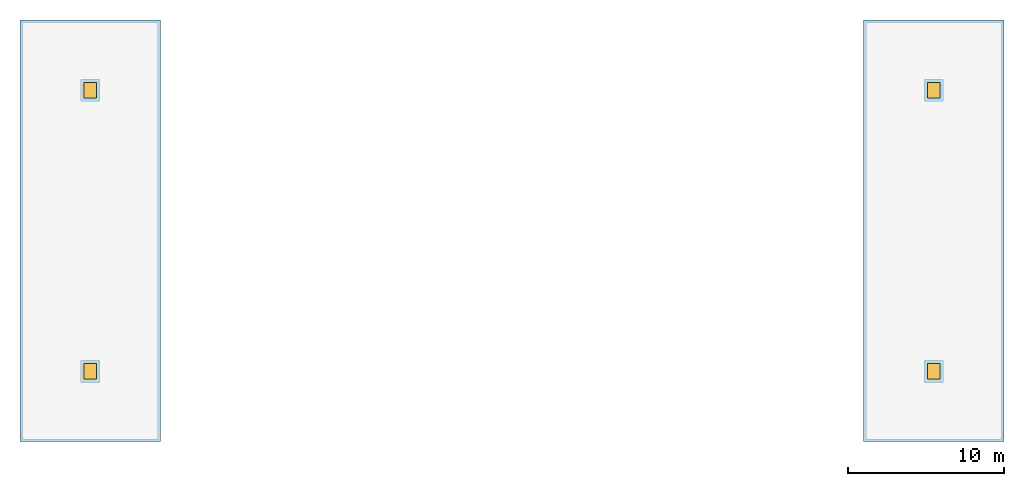
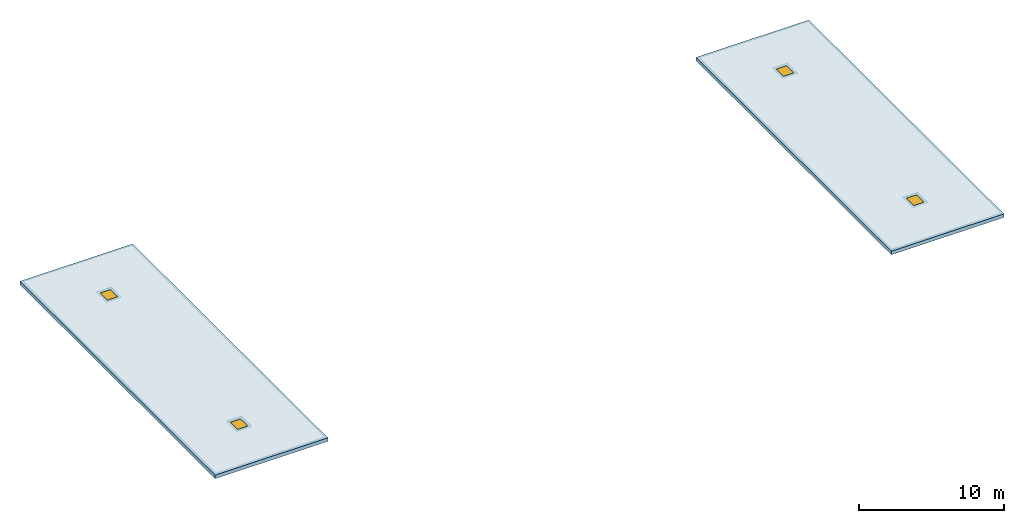
"""IFC4 building model written with IfcOpenShell, lengths in metres."""

from ifc_helpers import new_model, si_unit, direction, frame, origin, origin_2d, place, context, subcontext, project, spatial, polyline, rectangle, outline, extrude, material, layer, layer_set, type_object, element, fill, save


model = new_model("IFC4")

# Units and contexts
model_context = context("Model", 3, precision=1e-05, world=origin(), true_north=direction((0.0, 1.0)))
body_context = subcontext(model_context, "Body", "Model", "MODEL_VIEW")
ifc_project = project(units=[si_unit("LENGTHUNIT", "METRE"), si_unit("AREAUNIT", "SQUARE_METRE"), si_unit("VOLUMEUNIT", "CUBIC_METRE"), si_unit("PLANEANGLEUNIT", "RADIAN"), si_unit("MASSUNIT", "GRAM", prefix="KILO")], contexts=[model_context])

# Site, building, storey
site_placement = place(None, origin())
site = spatial("IfcSite", under=ifc_project, at=site_placement, CompositionType="ELEMENT")
building_placement = place(site_placement, origin())
building = spatial("IfcBuilding", under=site, at=building_placement, Name="Azimuth Sports and Learning Centre", CompositionType="ELEMENT")
storey_1_placement = place(building_placement, frame((0.0, 0.0, 82.5)))
storey_1 = spatial("IfcBuildingStorey", under=building, at=storey_1_placement, Name="UPPER ROOF", CompositionType="ELEMENT", Elevation=82.5)

# Slab, openings
ifc_material_1 = material(Name="Concrete C30/37", Category="concrete")
ifc_layer = layer(ifc_material_1, 0.300048828125)
ifc_layer_set = layer_set([ifc_layer], Name="Concrete C30/37")
slab_type = type_object("IfcSlabType", Name="Core crown slab 300", PredefinedType="ROOF", material=ifc_layer_set)
slab_1_placement = place(storey_1_placement, origin())
slab_1 = element("IfcSlab", 1, at=slab_1_placement, inside=storey_1, type_object=slab_type, Name="Slab West core crown", PredefinedType="ROOF", context=body_context, shape_type="SweptSolid", body=[
    extrude(outline(polyline([(54.0, 90.0), (63.0, 90.0), (63.0, 117.0), (54.0, 117.0), (54.0, 90.0)])), origin(), (0.0, 0.0, 1.0), 0.300048828125),
])
opening_1_placement = place(slab_1_placement, frame((58.5, 94.5, 0.0)))
opening_1 = element("IfcOpeningElement", 2, at=opening_1_placement, cuts=slab_1, Name="Opening RL17-004", PredefinedType="OPENING", context=body_context, shape_type="SweptSolid", body=[
    extrude(rectangle(XDim=0.800048828125, YDim=1.0, at=origin_2d()), frame((0.0, 0.0, -0.010986328125)), (0.0, 0.0, 1.0), 0.322021484375),
])
opening_2_placement = place(slab_1_placement, frame((58.5, 112.5, 0.0)))
opening_2 = element("IfcOpeningElement", 3, at=opening_2_placement, cuts=slab_1, Name="Opening RL17-005", PredefinedType="OPENING", context=body_context, shape_type="SweptSolid", body=[
    extrude(rectangle(XDim=0.800048828125, YDim=1.0, at=origin_2d()), frame((0.0, 0.0, -0.010986328125)), (0.0, 0.0, 1.0), 0.322021484375),
])

# Storey
storey_2_placement = place(building_placement, frame((0.0, 0.0, 75.300048828125)))
storey_2 = spatial("IfcBuildingStorey", under=building, at=storey_2_placement, Name="L17", CompositionType="ELEMENT", Elevation=75.300048828125)

# Window
ifc_material_2 = material(Name="Steel", Category="steel")
window_type = type_object("IfcWindowType", Name="Head house hatch 800x1000", PartitioningType="SINGLE_PANEL", PredefinedType="SKYLIGHT", material=ifc_material_2)
window_1_placement = place(opening_1_placement, frame((0.0, 0.0, 0.25)))
window_1 = element("IfcWindow", 4, at=window_1_placement, inside=storey_2, type_object=window_type, Name="Head house hatch RL17-004", OverallHeight=1.0, OverallWidth=0.800048828125, PartitioningType="SINGLE_PANEL", PredefinedType="SKYLIGHT", context=body_context, shape_type="SweptSolid", body=[
    extrude(rectangle(XDim=0.800048828125, YDim=1.0, at=origin_2d()), origin(), (0.0, 0.0, 1.0), 0.050048828125),
])

fill(opening_1, window_1)

window_2_placement = place(opening_2_placement, frame((0.0, 0.0, 0.25)))
window_2 = element("IfcWindow", 5, at=window_2_placement, inside=storey_2, type_object=window_type, Name="Head house hatch RL17-005", OverallHeight=1.0, OverallWidth=0.800048828125, PartitioningType="SINGLE_PANEL", PredefinedType="SKYLIGHT", context=body_context, shape_type="SweptSolid", body=[
    extrude(rectangle(XDim=0.800048828125, YDim=1.0, at=origin_2d()), origin(), (0.0, 0.0, 1.0), 0.050048828125),
])

fill(opening_2, window_2)

# Slab, openings, windows
slab_2_placement = place(storey_1_placement, origin())
slab_2 = element("IfcSlab", 6, at=slab_2_placement, inside=storey_1, type_object=slab_type, Name="Slab East core crown", PredefinedType="ROOF", context=body_context, shape_type="SweptSolid", body=[
    extrude(outline(polyline([(108.0, 90.0), (117.0, 90.0), (117.0, 117.0), (108.0, 117.0), (108.0, 90.0)])), origin(), (0.0, 0.0, 1.0), 0.300048828125),
])
opening_3_placement = place(slab_2_placement, frame((112.5, 94.5, 0.0)))
opening_3 = element("IfcOpeningElement", 7, at=opening_3_placement, cuts=slab_2, Name="Opening RL17-006", PredefinedType="OPENING", context=body_context, shape_type="SweptSolid", body=[
    extrude(rectangle(XDim=0.800048828125, YDim=1.0, at=origin_2d()), frame((0.0, 0.0, -0.010986328125)), (0.0, 0.0, 1.0), 0.322021484375),
])
opening_4_placement = place(slab_2_placement, frame((112.5, 112.5, 0.0)))
opening_4 = element("IfcOpeningElement", 8, at=opening_4_placement, cuts=slab_2, Name="Opening RL17-007", PredefinedType="OPENING", context=body_context, shape_type="SweptSolid", body=[
    extrude(rectangle(XDim=0.800048828125, YDim=1.0, at=origin_2d()), frame((0.0, 0.0, -0.010986328125)), (0.0, 0.0, 1.0), 0.322021484375),
])
window_3_placement = place(opening_3_placement, frame((0.0, 0.0, 0.25)))
window_3 = element("IfcWindow", 9, at=window_3_placement, inside=storey_2, type_object=window_type, Name="Head house hatch RL17-006", OverallHeight=1.0, OverallWidth=0.800048828125, PartitioningType="SINGLE_PANEL", PredefinedType="SKYLIGHT", context=body_context, shape_type="SweptSolid", body=[
    extrude(rectangle(XDim=0.800048828125, YDim=1.0, at=origin_2d()), origin(), (0.0, 0.0, 1.0), 0.050048828125),
])
fill(opening_3, window_3)
window_4_placement = place(opening_4_placement, frame((0.0, 0.0, 0.25)))
window_4 = element("IfcWindow", 10, at=window_4_placement, inside=storey_2, type_object=window_type, Name="Head house hatch RL17-007", OverallHeight=1.0, OverallWidth=0.800048828125, PartitioningType="SINGLE_PANEL", PredefinedType="SKYLIGHT", context=body_context, shape_type="SweptSolid", body=[
    extrude(rectangle(XDim=0.800048828125, YDim=1.0, at=origin_2d()), origin(), (0.0, 0.0, 1.0), 0.050048828125),
])
fill(opening_4, window_4)

save(model, "model.ifc")
